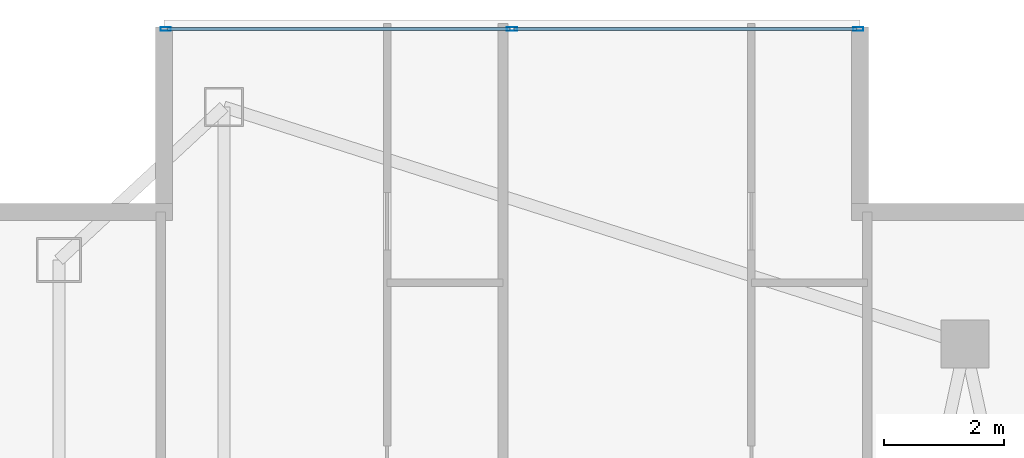
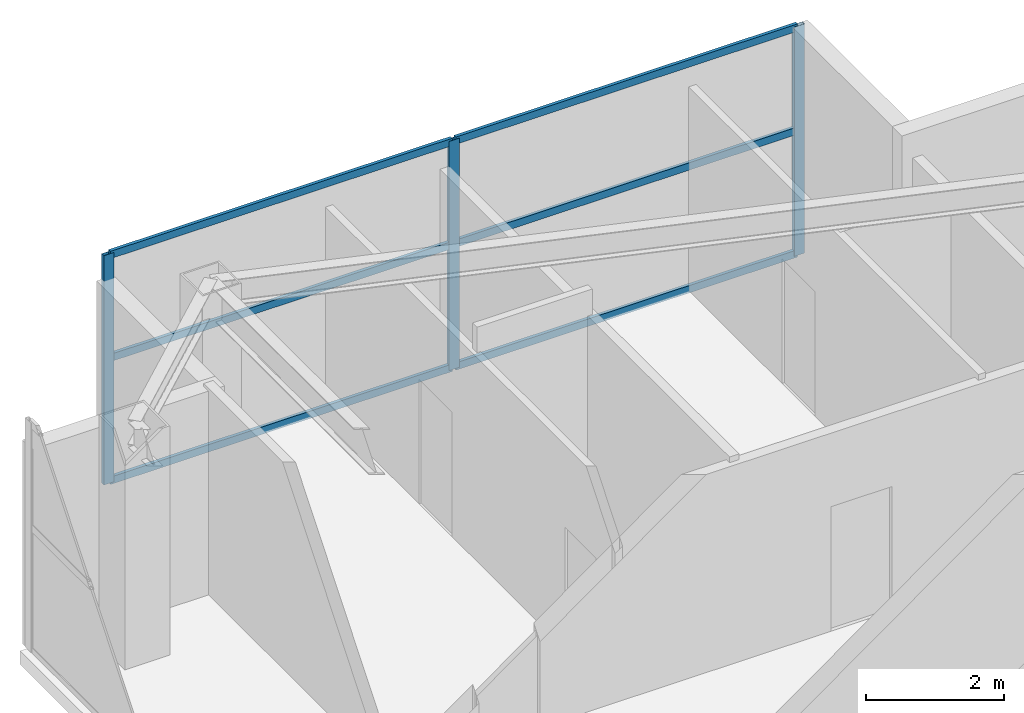
# One storey, part 19 of 26: 9 members, 1 element without a shape of its own.
"""IFC4 building model written with IfcOpenShell, lengths in metres."""

from ifc_helpers import new_model, si_unit, direction, frame, origin, origin_2d, place, context, subcontext, project, spatial, hollow_rectangle, extrude, material, layer, layer_set, material_profile, profile_set, type_object, element, aggregate, save


model = new_model("IFC4")

# Units and contexts
model_context = context("Model", 3, precision=1e-05, world=origin(), true_north=direction((0.0, 1.0)))
body_context = subcontext(model_context, "Body", "Model", "MODEL_VIEW")
ifc_project = project(units=[si_unit("LENGTHUNIT", "METRE"), si_unit("AREAUNIT", "SQUARE_METRE"), si_unit("VOLUMEUNIT", "CUBIC_METRE"), si_unit("PLANEANGLEUNIT", "RADIAN"), si_unit("MASSUNIT", "GRAM", prefix="KILO")], contexts=[model_context])

# Site, building, storey
site_placement = place(None, origin())
site = spatial("IfcSite", under=ifc_project, at=site_placement, CompositionType="ELEMENT")
building_placement = place(site_placement, origin())
building = spatial("IfcBuilding", under=site, at=building_placement, Name="Calvorn Quay Hotel", CompositionType="ELEMENT")
storey_placement = place(building_placement, frame((0.0, 0.0, 302.5)))
storey = spatial("IfcBuildingStorey", under=building, at=storey_placement, Name="L75", CompositionType="ELEMENT", Elevation=302.5)

# Curtain wall, members
ifc_material_1 = material(Name="Champagne Bronze Anodised Aluminium and Low-E Glass", Category="aluminium")
ifc_layer = layer(ifc_material_1, 0.219970703125)
ifc_layer_set = layer_set([ifc_layer], Name="CW-SYS-Z4")
curtain_wall_type = type_object("IfcCurtainWallType", Name="CW-SYS-Z4", PredefinedType="NOTDEFINED", material=ifc_layer_set)
curtain_wall_placement = place(storey_placement, origin())
curtain_wall = element("IfcCurtainWall", 1, at=curtain_wall_placement, inside=storey, type_object=curtain_wall_type, Name="Inner Court Curtain Wall L75-N1", PredefinedType="NOTDEFINED")
ifc_material_2 = material(Name="Champagne Bronze Anodised Aluminium 6063-T6", Category="aluminium")
ifc_material_profile_1 = material_profile(ifc_material_2, hollow_rectangle(XDim=0.06494140625, YDim=0.169921875, WallThickness=0.00341796875, at=origin_2d()), Name="ALU-M170x65x3.5")
ifc_profile_set_1 = profile_set([ifc_material_profile_1], Name="Champagne Bronze Anodised Aluminium 6063-T6")
member_type_1 = type_object("IfcMemberType", Name="CW-SYS-Z4-MUL", PredefinedType="MULLION", material=ifc_profile_set_1)
member_1_placement = place(storey_placement, frame((14.77001953125, 50.85009765625, 0.0), z_axis=(0.0, 0.0, 1.0), x_axis=(0.0, -1.0, 0.0)))
member_1 = element("IfcMember", 2, at=member_1_placement, type_object=member_type_1, Name="CW-L75-N1 mullion 1", PredefinedType="MULLION", context=body_context, shape_type="SweptSolid", body=[
    extrude(hollow_rectangle(XDim=0.06494140625, YDim=0.169921875, WallThickness=0.00341796875, at=origin_2d()), origin(), (0.0, 0.0, 1.0), 4.050048828125),
])
member_2_placement = place(storey_placement, frame((9.0, 50.85009765625, 0.0), z_axis=(0.0, 0.0, 1.0), x_axis=(0.0, -1.0, 0.0)))
member_2 = element("IfcMember", 3, at=member_2_placement, type_object=member_type_1, Name="CW-L75-N1 mullion 2", PredefinedType="MULLION", context=body_context, shape_type="SweptSolid", body=[
    extrude(hollow_rectangle(XDim=0.06494140625, YDim=0.169921875, WallThickness=0.00341796875, at=origin_2d()), origin(), (0.0, 0.0, 1.0), 4.050048828125),
])
member_3_placement = place(storey_placement, frame((3.22998046875, 50.85009765625, 0.0), z_axis=(0.0, 0.0, 1.0), x_axis=(0.0, -1.0, 0.0)))
member_3 = element("IfcMember", 4, at=member_3_placement, type_object=member_type_1, Name="CW-L75-N1 mullion 3", PredefinedType="MULLION", context=body_context, shape_type="SweptSolid", body=[
    extrude(hollow_rectangle(XDim=0.06494140625, YDim=0.169921875, WallThickness=0.00341796875, at=origin_2d()), origin(), (0.0, 0.0, 1.0), 4.050048828125),
])
ifc_material_3 = material(Name="Champagne Bronze Anodised Aluminium 6063-T6", Category="aluminium")
ifc_material_profile_2 = material_profile(ifc_material_3, hollow_rectangle(XDim=0.054931640625, YDim=0.1298828125, WallThickness=0.003173828125, at=origin_2d()), Name="ALU-T130x55x3.2")
ifc_profile_set_2 = profile_set([ifc_material_profile_2], Name="Champagne Bronze Anodised Aluminium 6063-T6")
member_type_2 = type_object("IfcMemberType", Name="CW-SYS-Z4-TRN", PredefinedType="USERDEFINED", material=ifc_profile_set_2)
member_4_placement = place(storey_placement, frame((14.739990234375, 50.85009765625, 0.030029296875), z_axis=(-1.0, 0.0, 0.0), x_axis=(0.0, -1.0, 0.0)))
member_4 = element("IfcMember", 5, at=member_4_placement, type_object=member_type_2, Name="CW-L75-N1 transom 1.1", ObjectType="TRANSOM", PredefinedType="USERDEFINED", context=body_context, shape_type="SweptSolid", body=[
    extrude(hollow_rectangle(XDim=0.054931640625, YDim=0.1298828125, WallThickness=0.003173828125, at=origin_2d()), origin(), (0.0, 0.0, 1.0), 5.7099609375),
])
member_5_placement = place(storey_placement, frame((14.739990234375, 50.85009765625, 2.199951171875), z_axis=(-1.0, 0.0, 0.0), x_axis=(0.0, -1.0, 0.0)))
member_5 = element("IfcMember", 6, at=member_5_placement, type_object=member_type_2, Name="CW-L75-N1 transom 1.2", ObjectType="TRANSOM", PredefinedType="USERDEFINED", context=body_context, shape_type="SweptSolid", body=[
    extrude(hollow_rectangle(XDim=0.054931640625, YDim=0.1298828125, WallThickness=0.003173828125, at=origin_2d()), origin(), (0.0, 0.0, 1.0), 5.7099609375),
])
member_6_placement = place(storey_placement, frame((14.739990234375, 50.85009765625, 4.02001953125), z_axis=(-1.0, 0.0, 0.0), x_axis=(0.0, -1.0, 0.0)))
member_6 = element("IfcMember", 7, at=member_6_placement, type_object=member_type_2, Name="CW-L75-N1 transom 1.3", ObjectType="TRANSOM", PredefinedType="USERDEFINED", context=body_context, shape_type="SweptSolid", body=[
    extrude(hollow_rectangle(XDim=0.054931640625, YDim=0.1298828125, WallThickness=0.003173828125, at=origin_2d()), origin(), (0.0, 0.0, 1.0), 5.7099609375),
])
member_7_placement = place(storey_placement, frame((8.969970703125, 50.85009765625, 0.030029296875), z_axis=(-1.0, 0.0, 0.0), x_axis=(0.0, -1.0, 0.0)))
member_7 = element("IfcMember", 8, at=member_7_placement, type_object=member_type_2, Name="CW-L75-N1 transom 2.1", ObjectType="TRANSOM", PredefinedType="USERDEFINED", context=body_context, shape_type="SweptSolid", body=[
    extrude(hollow_rectangle(XDim=0.054931640625, YDim=0.1298828125, WallThickness=0.003173828125, at=origin_2d()), origin(), (0.0, 0.0, 1.0), 5.7099609375),
])
member_8_placement = place(storey_placement, frame((8.969970703125, 50.85009765625, 2.199951171875), z_axis=(-1.0, 0.0, 0.0), x_axis=(0.0, -1.0, 0.0)))
member_8 = element("IfcMember", 9, at=member_8_placement, type_object=member_type_2, Name="CW-L75-N1 transom 2.2", ObjectType="TRANSOM", PredefinedType="USERDEFINED", context=body_context, shape_type="SweptSolid", body=[
    extrude(hollow_rectangle(XDim=0.054931640625, YDim=0.1298828125, WallThickness=0.003173828125, at=origin_2d()), origin(), (0.0, 0.0, 1.0), 5.7099609375),
])
member_9_placement = place(storey_placement, frame((8.969970703125, 50.85009765625, 4.02001953125), z_axis=(-1.0, 0.0, 0.0), x_axis=(0.0, -1.0, 0.0)))
member_9 = element("IfcMember", 10, at=member_9_placement, type_object=member_type_2, Name="CW-L75-N1 transom 2.3", ObjectType="TRANSOM", PredefinedType="USERDEFINED", context=body_context, shape_type="SweptSolid", body=[
    extrude(hollow_rectangle(XDim=0.054931640625, YDim=0.1298828125, WallThickness=0.003173828125, at=origin_2d()), origin(), (0.0, 0.0, 1.0), 5.7099609375),
])
aggregate(curtain_wall, [member_1, member_2, member_3, member_4, member_5, member_6, member_7, member_8, member_9])

save(model, "model.ifc")
